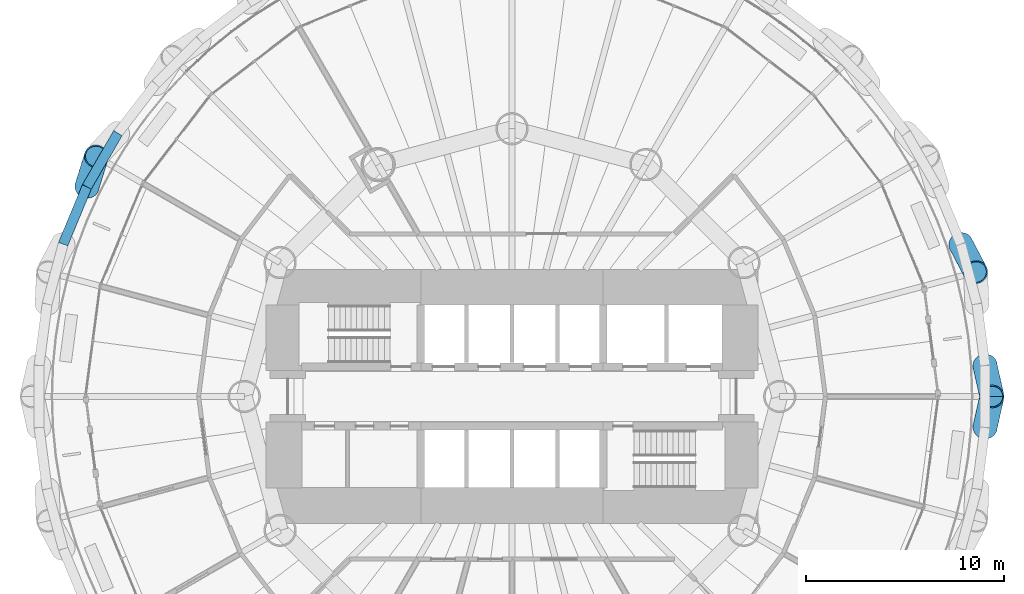
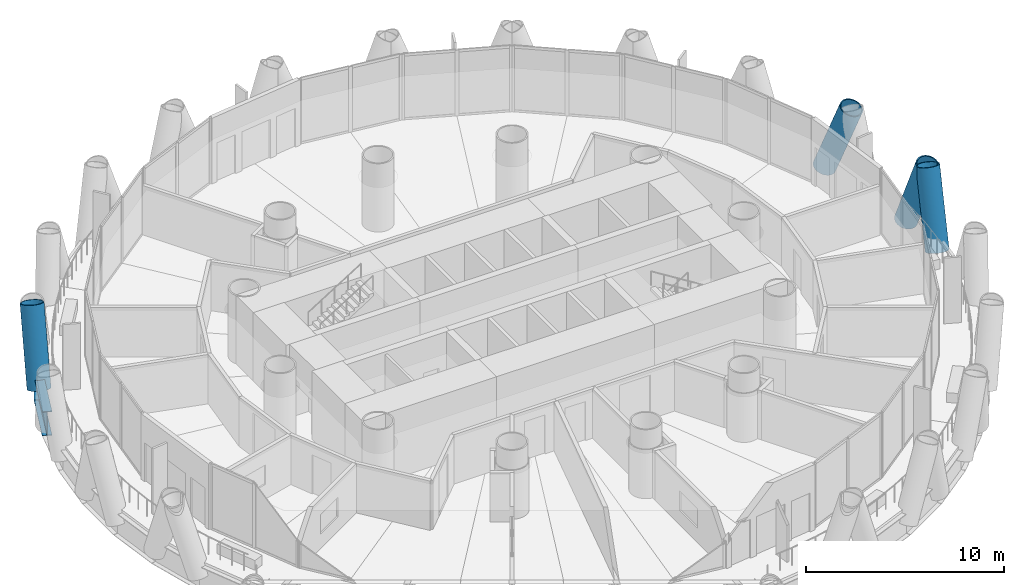
# One storey, part 5 of 16: 4 members, 2 beams.
"""IFC4 building model written with IfcOpenShell, lengths in metres."""

from ifc_helpers import new_model, si_unit, direction, frame, origin, origin_2d, place, context, subcontext, project, spatial, hollow_circle, i_section, extrude, material, material_profile, profile_set, type_object, element, save


model = new_model("IFC4")

# Units and contexts
model_context = context("Model", 3, precision=1e-05, world=origin(), true_north=direction((0.0, 1.0)))
body_context = subcontext(model_context, "Body", "Model", "MODEL_VIEW")
ifc_project = project(units=[si_unit("LENGTHUNIT", "METRE"), si_unit("AREAUNIT", "SQUARE_METRE"), si_unit("VOLUMEUNIT", "CUBIC_METRE"), si_unit("PLANEANGLEUNIT", "RADIAN"), si_unit("MASSUNIT", "GRAM", prefix="KILO")], contexts=[model_context])

# Site, building, storey
site_placement = place(None, origin())
site = spatial("IfcSite", under=ifc_project, at=site_placement, CompositionType="ELEMENT")
building_placement = place(site_placement, origin())
building = spatial("IfcBuilding", under=site, at=building_placement, Name="Qaws Media Tower", CompositionType="ELEMENT")
storey_placement = place(building_placement, frame((0.0, 0.0, 38.60009765625)))
storey = spatial("IfcBuildingStorey", under=building, at=storey_placement, Name="L07", CompositionType="ELEMENT", Elevation=38.60009765625)

# Members
ifc_material_1 = material(Name="Steel S460", Category="steel")
ifc_material_profile_1 = material_profile(ifc_material_1, hollow_circle(Radius=0.609619140625, WallThickness=0.06005859375, at=origin_2d()), Name="CHS 1219x60")
ifc_profile_set_1 = profile_set([ifc_material_profile_1], Name="Steel S460")
member_type = type_object("IfcMemberType", Name="Diagrid member CHS 1219x60", PredefinedType="USERDEFINED", material=ifc_profile_set_1)
for number, where, z_axis, x_axis, name in (
    (1, (83.848876953125, 51.563232421875, -0.91015625), (0.078100349279, -0.347758370258, 0.934325666648), (0.975696974085, 0.219124199396, 0.0), "DG1 diagrid L07 B01"),
    (2, (82.631591796875, 57.682373046875, -0.91015625), (0.165488673092, -0.315661361343, 0.934329387333), (0.885667434492, 0.464320143307, 0.0), "DG1 diagrid L07 B02"),
    (3, (38.564697265625, 60.57080078125, -0.91015625), (0.106234265459, 0.340210347051, 0.934329278468), (-0.954545031131, 0.298066743437, 0.0), "DG1 diagrid L07 B11"),
    (4, (83.848876953125, 48.436767578125, -0.91015625), (0.078100349279, 0.347758370258, 0.934325666648), (-0.975696974085, 0.219124199396, 0.0), "DG1 diagrid L07 A24"),
):
    element("IfcMember", number, at=place(storey_placement, frame(where, z_axis=z_axis, x_axis=x_axis)), inside=storey, type_object=member_type, Name=name, ObjectType="DIAGRID", PredefinedType="USERDEFINED", context=body_context, shape_type="SweptSolid", body=[
        extrude(hollow_circle(Radius=0.609619140625, WallThickness=0.06005859375, at=origin_2d()), origin(), (0.0, 0.0, 1.0), 4.4951171875),
    ])

# Beams
ifc_material_2 = material(Name="Steel S460", Category="steel")
ifc_material_profile_2 = material_profile(ifc_material_2, i_section(OverallWidth=0.5, OverallDepth=1.5, WebThickness=0.02001953125, FlangeThickness=0.0400390625, at=origin_2d()), Name="PG 1500x500")
ifc_profile_set_2 = profile_set([ifc_material_profile_2], Name="Steel S460")
beam_type = type_object("IfcBeamType", Name="Edge ring beam PG 1500x500", PredefinedType="BEAM", material=ifc_profile_set_2)
beam_1_placement = place(storey_placement, frame((40.1279296875, 63.278076171875, -0.91015625), z_axis=(-0.500044681503, -0.86599960537, 0.0), x_axis=(0.86599960537, -0.500044681503, 0.0)))
element("IfcBeam", 5, at=beam_1_placement, inside=storey, type_object=beam_type, Name="RB4 edge ring beam L07-20", PredefinedType="BEAM", context=body_context, shape_type="SweptSolid", body=[
    extrude(i_section(OverallWidth=0.5, OverallDepth=1.5, WebThickness=0.02001953125, FlangeThickness=0.0400390625, at=origin_2d()), origin(), (0.0, 0.0, 1.0), 3.126220703125),
])
beam_2_placement = place(storey_placement, frame((38.564697265625, 60.57080078125, -0.91015625), z_axis=(-0.382646061572, -0.923895011115, 0.0), x_axis=(0.923895011115, -0.382646061572, 0.0)))
element("IfcBeam", 6, at=beam_2_placement, inside=storey, type_object=beam_type, Name="RB4 edge ring beam L07-21", PredefinedType="BEAM", context=body_context, shape_type="SweptSolid", body=[
    extrude(i_section(OverallWidth=0.5, OverallDepth=1.5, WebThickness=0.02001953125, FlangeThickness=0.0400390625, at=origin_2d()), origin(), (0.0, 0.0, 1.0), 3.12646484375),
])

save(model, "model.ifc")
